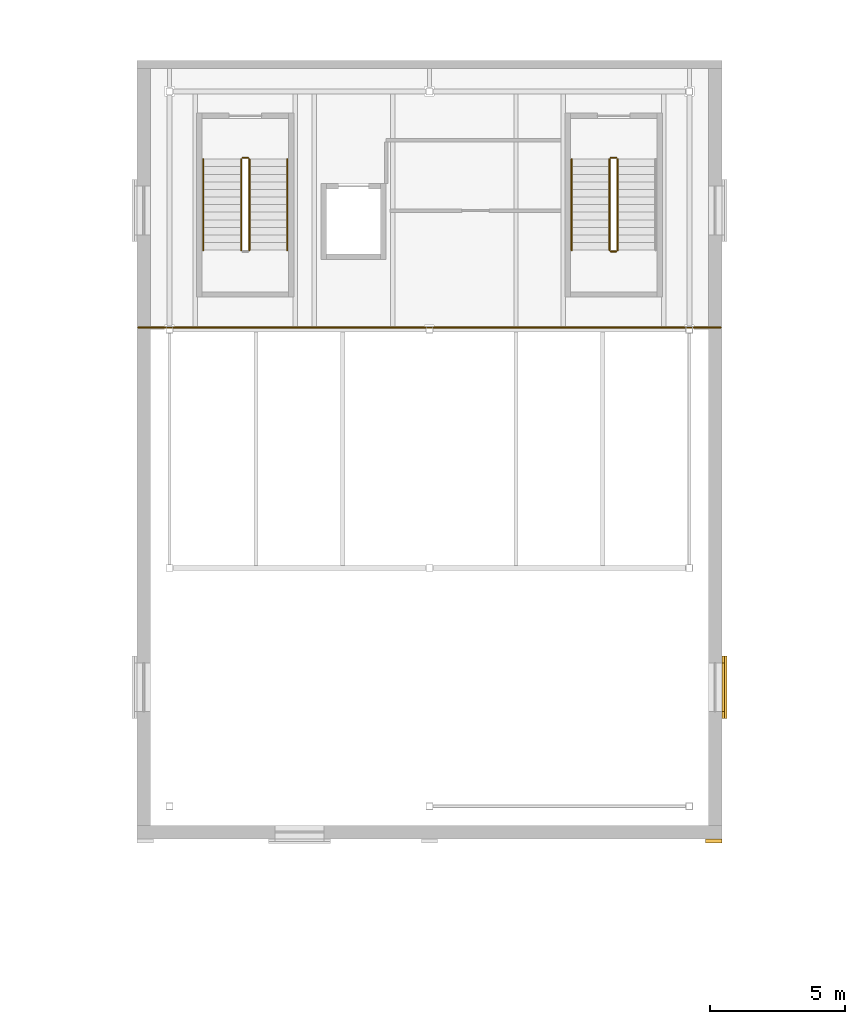
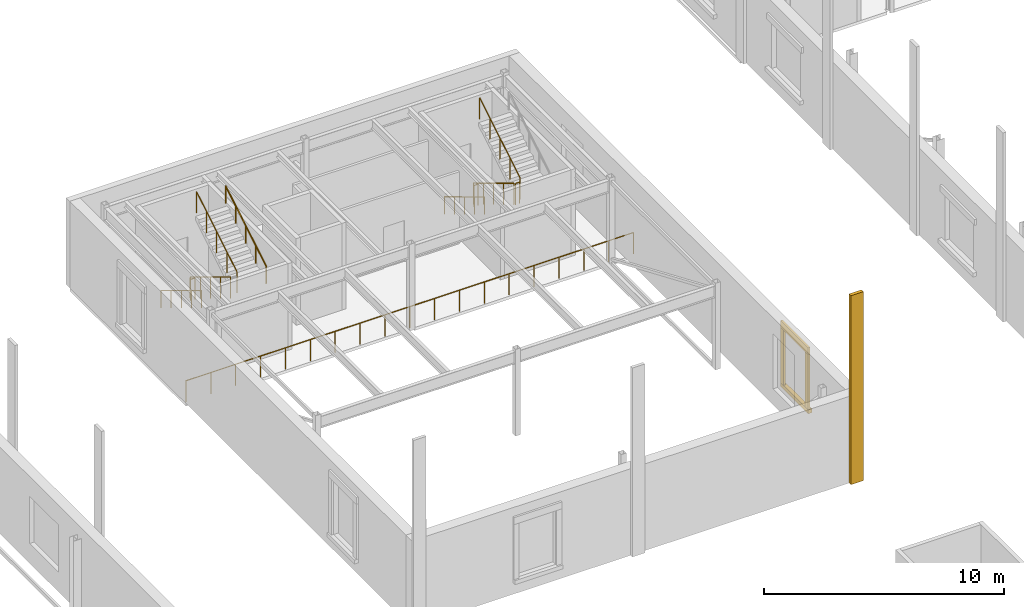
# One storey, part 163 of 169: 11 railings, 5 coverings.
"""IFC4 building model written with IfcOpenShell, lengths in metres."""

from ifc_helpers import new_model, si_unit, direction, frame, origin, origin_2d, place, context, subcontext, project, spatial, rectangle, circle, extrude, material, layer, layer_set, type_object, element, save


model = new_model("IFC4")

# Units and contexts
model_context = context("Model", 3, precision=1e-05, world=origin(), true_north=direction((0.0, 1.0)))
body_context = subcontext(model_context, "Body", "Model", "MODEL_VIEW")
ifc_project = project(units=[si_unit("LENGTHUNIT", "METRE"), si_unit("AREAUNIT", "SQUARE_METRE"), si_unit("VOLUMEUNIT", "CUBIC_METRE"), si_unit("PLANEANGLEUNIT", "RADIAN"), si_unit("MASSUNIT", "GRAM", prefix="KILO")], contexts=[model_context])

# Site, building, storey
site_placement = place(None, origin())
site = spatial("IfcSite", under=ifc_project, at=site_placement, CompositionType="ELEMENT")
building_placement = place(site_placement, origin())
building = spatial("IfcBuilding", under=site, at=building_placement, Name="Verrick Yard Athletic Hall", CompositionType="ELEMENT")
storey_placement = place(building_placement, frame((0.0, 0.0, 4.39990234375)))
storey = spatial("IfcBuildingStorey", under=building, at=storey_placement, Name="L01", CompositionType="ELEMENT", Elevation=4.39990234375)

# Railings
ifc_material_1 = material(Name="Stainless steel 316", Category="steel")
railing_type_1 = type_object("IfcRailingType", Name="HB seating guard 1100", PredefinedType="GUARDRAIL", material=ifc_material_1)
railing_1_placement = place(storey_placement, frame((88.050048828125, 90.8798828125, 0.0)))
element("IfcRailing", 1, at=railing_1_placement, inside=storey, type_object=railing_type_1, Name="Climbing hall mezzanine edge guard", PredefinedType="GUARDRAIL", context=body_context, shape_type="SweptSolid", body=[
    extrude(circle(Radius=0.02392578125, at=origin_2d()), frame((0.0, 0.0, 1.076171875), z_axis=(1.0, 0.0, 0.0), x_axis=(0.0, 1.0, 0.0)), (0.0, 0.0, 1.0), 21.5),
    extrude(circle(Radius=0.02099609375, at=origin_2d()), origin(), (0.0, 0.0, 1.0), 1.052001953125),
    extrude(circle(Radius=0.02099609375, at=origin_2d()), frame((1.1943359375, 0.0, 0.0)), (0.0, 0.0, 1.0), 1.052001953125),
    extrude(circle(Radius=0.02099609375, at=origin_2d()), frame((2.388916015625, 0.0, 0.0)), (0.0, 0.0, 1.0), 1.052001953125),
    extrude(circle(Radius=0.02099609375, at=origin_2d()), frame((3.583251953125, 0.0, 0.0)), (0.0, 0.0, 1.0), 1.052001953125),
    extrude(circle(Radius=0.02099609375, at=origin_2d()), frame((4.77783203125, 0.0, 0.0)), (0.0, 0.0, 1.0), 1.052001953125),
    extrude(circle(Radius=0.02099609375, at=origin_2d()), frame((5.97216796875, 0.0, 0.0)), (0.0, 0.0, 1.0), 1.052001953125),
    extrude(circle(Radius=0.02099609375, at=origin_2d()), frame((7.166748046875, 0.0, 0.0)), (0.0, 0.0, 1.0), 1.052001953125),
    extrude(circle(Radius=0.02099609375, at=origin_2d()), frame((8.361083984375, 0.0, 0.0)), (0.0, 0.0, 1.0), 1.052001953125),
    extrude(circle(Radius=0.02099609375, at=origin_2d()), frame((9.5556640625, 0.0, 0.0)), (0.0, 0.0, 1.0), 1.052001953125),
    extrude(circle(Radius=0.02099609375, at=origin_2d()), frame((10.75, 0.0, 0.0)), (0.0, 0.0, 1.0), 1.052001953125),
    extrude(circle(Radius=0.02099609375, at=origin_2d()), frame((11.9443359375, 0.0, 0.0)), (0.0, 0.0, 1.0), 1.052001953125),
    extrude(circle(Radius=0.02099609375, at=origin_2d()), frame((13.138916015625, 0.0, 0.0)), (0.0, 0.0, 1.0), 1.052001953125),
    extrude(circle(Radius=0.02099609375, at=origin_2d()), frame((14.333251953125, 0.0, 0.0)), (0.0, 0.0, 1.0), 1.052001953125),
    extrude(circle(Radius=0.02099609375, at=origin_2d()), frame((15.52783203125, 0.0, 0.0)), (0.0, 0.0, 1.0), 1.052001953125),
    extrude(circle(Radius=0.02099609375, at=origin_2d()), frame((16.72216796875, 0.0, 0.0)), (0.0, 0.0, 1.0), 1.052001953125),
    extrude(circle(Radius=0.02099609375, at=origin_2d()), frame((17.916748046875, 0.0, 0.0)), (0.0, 0.0, 1.0), 1.052001953125),
    extrude(circle(Radius=0.02099609375, at=origin_2d()), frame((19.111083984375, 0.0, 0.0)), (0.0, 0.0, 1.0), 1.052001953125),
    extrude(circle(Radius=0.02099609375, at=origin_2d()), frame((20.3056640625, 0.0, 0.0)), (0.0, 0.0, 1.0), 1.052001953125),
    extrude(circle(Radius=0.02099609375, at=origin_2d()), frame((21.5, 0.0, 0.0)), (0.0, 0.0, 1.0), 1.052001953125),
])
ifc_material_2 = material(Name="Stainless steel", Category="steel")
railing_type_2 = type_object("IfcRailingType", Name="Stair and core guard 1100", PredefinedType="GUARDRAIL", material=ifc_material_2)
railing_2_placement = place(storey_placement, frame((105.449951171875, 97.10009765625, 0.16943359375)))
element("IfcRailing", 2, at=railing_2_placement, inside=storey, type_object=railing_type_2, Name="L01 Climbing hall east stair guard 1", PredefinedType="GUARDRAIL", context=body_context, shape_type="SweptSolid", body=[
    extrude(circle(Radius=0.02392578125, at=origin_2d()), frame((0.0, 0.0, 1.076171875), z_axis=(0.0, -0.855836976705, 0.517245656632), x_axis=(1.0, 0.0, 0.0)), (0.0, 0.0, 1.0), 3.926025390625),
    extrude(circle(Radius=0.02099609375, at=origin_2d()), origin(), (0.0, 0.0, 1.0), 1.052001953125),
    extrude(circle(Radius=0.02099609375, at=origin_2d()), frame((0.0, -0.840087890625, 0.5078125)), (0.0, 0.0, 1.0), 1.052001953125),
    extrude(circle(Radius=0.02099609375, at=origin_2d()), frame((0.0, -1.68017578125, 1.015380859375)), (0.0, 0.0, 1.0), 1.052001953125),
    extrude(circle(Radius=0.02099609375, at=origin_2d()), frame((0.0, -2.52001953125, 1.52294921875)), (0.0, 0.0, 1.0), 1.052001953125),
    extrude(circle(Radius=0.02099609375, at=origin_2d()), frame((0.0, -3.360107421875, 2.03076171875)), (0.0, 0.0, 1.0), 1.052001953125),
])
railing_3_placement = place(storey_placement, frame((105.5, 93.68994140625, 2.2001953125)))
element("IfcRailing", 3, at=railing_3_placement, inside=storey, type_object=railing_type_2, Name="L01 Climbing hall east stair guard 2", PredefinedType="GUARDRAIL", context=body_context, shape_type="SweptSolid", body=[
    extrude(circle(Radius=0.02392578125, at=origin_2d()), frame((0.0, 0.0, 1.076171875), z_axis=(1.0, 0.0, 0.0), x_axis=(0.0, 1.0, 0.0)), (0.0, 0.0, 1.0), 0.199951171875),
    extrude(circle(Radius=0.02099609375, at=origin_2d()), origin(), (0.0, 0.0, 1.0), 1.052001953125),
    extrude(circle(Radius=0.02099609375, at=origin_2d()), frame((0.199951171875, 0.0, 0.0)), (0.0, 0.0, 1.0), 1.052001953125),
])
railing_4_placement = place(storey_placement, frame((105.75, 93.739990234375, 2.369384765625)))
element("IfcRailing", 4, at=railing_4_placement, inside=storey, type_object=railing_type_2, Name="L01 Climbing hall east stair guard 3", PredefinedType="GUARDRAIL", context=body_context, shape_type="SweptSolid", body=[
    extrude(circle(Radius=0.02392578125, at=origin_2d()), frame((0.0, 0.0, 1.076171875), z_axis=(0.0, 0.855836976705, 0.517245656632), x_axis=(-1.0, 0.0, 0.0)), (0.0, 0.0, 1.0), 3.926025390625),
    extrude(circle(Radius=0.02099609375, at=origin_2d()), origin(), (0.0, 0.0, 1.0), 1.052001953125),
    extrude(circle(Radius=0.02099609375, at=origin_2d()), frame((0.0, 0.840087890625, 0.5078125)), (0.0, 0.0, 1.0), 1.052001953125),
    extrude(circle(Radius=0.02099609375, at=origin_2d()), frame((0.0, 1.68017578125, 1.015380859375)), (0.0, 0.0, 1.0), 1.052001953125),
    extrude(circle(Radius=0.02099609375, at=origin_2d()), frame((0.0, 2.52001953125, 1.52294921875)), (0.0, 0.0, 1.0), 1.052001953125),
    extrude(circle(Radius=0.02099609375, at=origin_2d()), frame((0.0, 3.360107421875, 2.03076171875)), (0.0, 0.0, 1.0), 1.052001953125),
])
railing_5_placement = place(storey_placement, frame((105.5, 97.14990234375, 0.0)))
element("IfcRailing", 5, at=railing_5_placement, inside=storey, type_object=railing_type_2, Name="L01 Climbing hall east stair guard 4", PredefinedType="GUARDRAIL", context=body_context, shape_type="SweptSolid", body=[
    extrude(circle(Radius=0.02392578125, at=origin_2d()), frame((0.0, 0.0, 1.076171875), z_axis=(1.0, 0.0, 0.0), x_axis=(0.0, 1.0, 0.0)), (0.0, 0.0, 1.0), 0.199951171875),
    extrude(circle(Radius=0.02099609375, at=origin_2d()), origin(), (0.0, 0.0, 1.0), 1.052001953125),
    extrude(circle(Radius=0.02099609375, at=origin_2d()), frame((0.199951171875, 0.0, 0.0)), (0.0, 0.0, 1.0), 1.052001953125),
])
railing_6_placement = place(storey_placement, frame((91.85009765625, 97.10009765625, 0.16943359375)))
element("IfcRailing", 6, at=railing_6_placement, inside=storey, type_object=railing_type_2, Name="L01 Climbing hall west stair guard 1", PredefinedType="GUARDRAIL", context=body_context, shape_type="SweptSolid", body=[
    extrude(circle(Radius=0.02392578125, at=origin_2d()), frame((0.0, 0.0, 1.076171875), z_axis=(0.0, -0.855836976705, 0.517245656632), x_axis=(1.0, 0.0, 0.0)), (0.0, 0.0, 1.0), 3.926025390625),
    extrude(circle(Radius=0.02099609375, at=origin_2d()), origin(), (0.0, 0.0, 1.0), 1.052001953125),
    extrude(circle(Radius=0.02099609375, at=origin_2d()), frame((0.0, -0.840087890625, 0.5078125)), (0.0, 0.0, 1.0), 1.052001953125),
    extrude(circle(Radius=0.02099609375, at=origin_2d()), frame((0.0, -1.68017578125, 1.015380859375)), (0.0, 0.0, 1.0), 1.052001953125),
    extrude(circle(Radius=0.02099609375, at=origin_2d()), frame((0.0, -2.52001953125, 1.52294921875)), (0.0, 0.0, 1.0), 1.052001953125),
    extrude(circle(Radius=0.02099609375, at=origin_2d()), frame((0.0, -3.360107421875, 2.03076171875)), (0.0, 0.0, 1.0), 1.052001953125),
])
railing_7_placement = place(storey_placement, frame((92.14990234375, 93.739990234375, 2.369384765625)))
element("IfcRailing", 7, at=railing_7_placement, inside=storey, type_object=railing_type_2, Name="L01 Climbing hall west stair guard 3", PredefinedType="GUARDRAIL", context=body_context, shape_type="SweptSolid", body=[
    extrude(circle(Radius=0.02392578125, at=origin_2d()), frame((0.0, 0.0, 1.076171875), z_axis=(0.0, 0.855836976705, 0.517245656632), x_axis=(-1.0, 0.0, 0.0)), (0.0, 0.0, 1.0), 3.926025390625),
    extrude(circle(Radius=0.02099609375, at=origin_2d()), origin(), (0.0, 0.0, 1.0), 1.052001953125),
    extrude(circle(Radius=0.02099609375, at=origin_2d()), frame((0.0, 0.840087890625, 0.5078125)), (0.0, 0.0, 1.0), 1.052001953125),
    extrude(circle(Radius=0.02099609375, at=origin_2d()), frame((0.0, 1.68017578125, 1.015380859375)), (0.0, 0.0, 1.0), 1.052001953125),
    extrude(circle(Radius=0.02099609375, at=origin_2d()), frame((0.0, 2.52001953125, 1.52294921875)), (0.0, 0.0, 1.0), 1.052001953125),
    extrude(circle(Radius=0.02099609375, at=origin_2d()), frame((0.0, 3.360107421875, 2.03076171875)), (0.0, 0.0, 1.0), 1.052001953125),
])
railing_8_placement = place(storey_placement, frame((91.89990234375, 97.14990234375, 0.0)))
element("IfcRailing", 8, at=railing_8_placement, inside=storey, type_object=railing_type_2, Name="L01 Climbing hall west stair guard 4", PredefinedType="GUARDRAIL", context=body_context, shape_type="SweptSolid", body=[
    extrude(circle(Radius=0.02392578125, at=origin_2d()), frame((0.0, 0.0, 1.076171875), z_axis=(1.0, 0.0, 0.0), x_axis=(0.0, 1.0, 0.0)), (0.0, 0.0, 1.0), 0.2001953125),
    extrude(circle(Radius=0.02099609375, at=origin_2d()), origin(), (0.0, 0.0, 1.0), 1.052001953125),
    extrude(circle(Radius=0.02099609375, at=origin_2d()), frame((0.2001953125, 0.0, 0.0)), (0.0, 0.0, 1.0), 1.052001953125),
])
railing_type_3 = type_object("IfcRailingType", Name="Stair handrail 900", PredefinedType="HANDRAIL", material=ifc_material_2)
for number, where, name in (
    (9, (104.050048828125, 97.10009765625, 0.16943359375), "L01 Climbing hall east stair handrail 1"),
    (10, (90.449951171875, 97.10009765625, 0.16943359375), "L01 Climbing hall west stair handrail 1"),
):
    element("IfcRailing", number, at=place(storey_placement, frame(where)), inside=storey, type_object=railing_type_3, Name=name, PredefinedType="HANDRAIL", context=body_context, shape_type="SweptSolid", body=[
        extrude(circle(Radius=0.02392578125, at=origin_2d()), frame((0.0, 0.0, 0.8759765625), z_axis=(0.0, -0.855836976705, 0.517245656632), x_axis=(1.0, 0.0, 0.0)), (0.0, 0.0, 1.0), 3.926025390625),
        extrude(circle(Radius=0.02099609375, at=origin_2d()), origin(), (0.0, 0.0, 1.0), 0.851806640625),
        extrude(circle(Radius=0.02099609375, at=origin_2d()), frame((0.0, -0.840087890625, 0.5078125)), (0.0, 0.0, 1.0), 0.851806640625),
        extrude(circle(Radius=0.02099609375, at=origin_2d()), frame((0.0, -1.68017578125, 1.015380859375)), (0.0, 0.0, 1.0), 0.851806640625),
        extrude(circle(Radius=0.02099609375, at=origin_2d()), frame((0.0, -2.52001953125, 1.52294921875)), (0.0, 0.0, 1.0), 0.851806640625),
        extrude(circle(Radius=0.02099609375, at=origin_2d()), frame((0.0, -3.360107421875, 2.03076171875)), (0.0, 0.0, 1.0), 0.851806640625),
    ])
railing_9_placement = place(storey_placement, frame((93.550048828125, 93.739990234375, 2.369384765625)))
element("IfcRailing", 11, at=railing_9_placement, inside=storey, type_object=railing_type_3, Name="L01 Climbing hall west stair handrail 2", PredefinedType="HANDRAIL", context=body_context, shape_type="SweptSolid", body=[
    extrude(circle(Radius=0.02392578125, at=origin_2d()), frame((0.0, 0.0, 0.8759765625), z_axis=(0.0, 0.855836976705, 0.517245656632), x_axis=(-1.0, 0.0, 0.0)), (0.0, 0.0, 1.0), 3.926025390625),
    extrude(circle(Radius=0.02099609375, at=origin_2d()), origin(), (0.0, 0.0, 1.0), 0.851806640625),
    extrude(circle(Radius=0.02099609375, at=origin_2d()), frame((0.0, 0.840087890625, 0.5078125)), (0.0, 0.0, 1.0), 0.851806640625),
    extrude(circle(Radius=0.02099609375, at=origin_2d()), frame((0.0, 1.68017578125, 1.015380859375)), (0.0, 0.0, 1.0), 0.851806640625),
    extrude(circle(Radius=0.02099609375, at=origin_2d()), frame((0.0, 2.52001953125, 1.52294921875)), (0.0, 0.0, 1.0), 0.851806640625),
    extrude(circle(Radius=0.02099609375, at=origin_2d()), frame((0.0, 3.360107421875, 2.03076171875)), (0.0, 0.0, 1.0), 0.851806640625),
])

# Coverings
ifc_material_3 = material(Name="Tyndall-stone-look precast cladding", Category="masonry")
ifc_layer_1 = layer(ifc_material_3, 0.125)
ifc_layer_set_1 = layer_set([ifc_layer_1], Name="Stone cladding")
covering_type_1 = type_object("IfcCoveringType", Name="Stone cladding", PredefinedType="CLADDING", material=ifc_layer_set_1)
covering_1_placement = place(storey_placement, frame((109.300048828125, 71.925048828125, 0.0), z_axis=(0.0, 0.0, 1.0), x_axis=(1.0, 0.0, 0.0)))
element("IfcCovering", 12, at=covering_1_placement, inside=storey, type_object=covering_type_1, Name="Climbing hall giant pilaster", PredefinedType="CLADDING", context=body_context, shape_type="SweptSolid", body=[
    extrude(rectangle(XDim=0.60009765625, YDim=0.14990234375, at=origin_2d()), origin(), (0.0, 0.0, 1.0), 9.60009765625),
])
ifc_layer_2 = layer(ifc_material_3, 0.25)
ifc_layer_set_2 = layer_set([ifc_layer_2], Name="Stone moulding")
covering_type_2 = type_object("IfcCoveringType", Name="Stone moulding", PredefinedType="MOLDING", material=ifc_layer_set_2)
covering_2_placement = place(storey_placement, frame((109.68994140625, 77.60009765625, 0.60009765625), z_axis=(0.0, 0.0, 1.0), x_axis=(0.0, 1.0, 0.0)))
element("IfcCovering", 13, at=covering_2_placement, inside=storey, type_object=covering_type_2, Name="Window sill", PredefinedType="MOLDING", context=body_context, shape_type="SweptSolid", body=[
    extrude(rectangle(XDim=2.300048828125, YDim=0.179931640625, at=origin_2d()), origin(), (0.0, 0.0, 1.0), 0.199951171875),
])
covering_3_placement = place(storey_placement, frame((109.64990234375, 77.60009765625, 3.60009765625), z_axis=(0.0, 0.0, 1.0), x_axis=(0.0, 1.0, 0.0)))
element("IfcCovering", 14, at=covering_3_placement, inside=storey, type_object=covering_type_2, Name="Window head", PredefinedType="MOLDING", context=body_context, shape_type="SweptSolid", body=[
    extrude(rectangle(XDim=2.300048828125, YDim=0.10009765625, at=origin_2d()), origin(), (0.0, 0.0, 1.0), 0.35009765625),
])
for number, where, z_axis, x_axis, name in (
    (15, (109.64990234375, 76.574951171875, 0.80029296875), (0.0, 0.0, 1.0), (0.0, 1.0, 0.0), "Window jamb"),
    (16, (109.64990234375, 78.625, 0.80029296875), (0.0, 0.0, 1.0), (0.0, 1.0, 0.0), "Window jamb"),
):
    element("IfcCovering", number, at=place(storey_placement, frame(where, z_axis=z_axis, x_axis=x_axis)), inside=storey, type_object=covering_type_2, Name=name, PredefinedType="MOLDING", context=body_context, shape_type="SweptSolid", body=[
        extrude(rectangle(XDim=0.25, YDim=0.10009765625, at=origin_2d()), origin(), (0.0, 0.0, 1.0), 2.800048828125),
    ])

save(model, "model.ifc")
